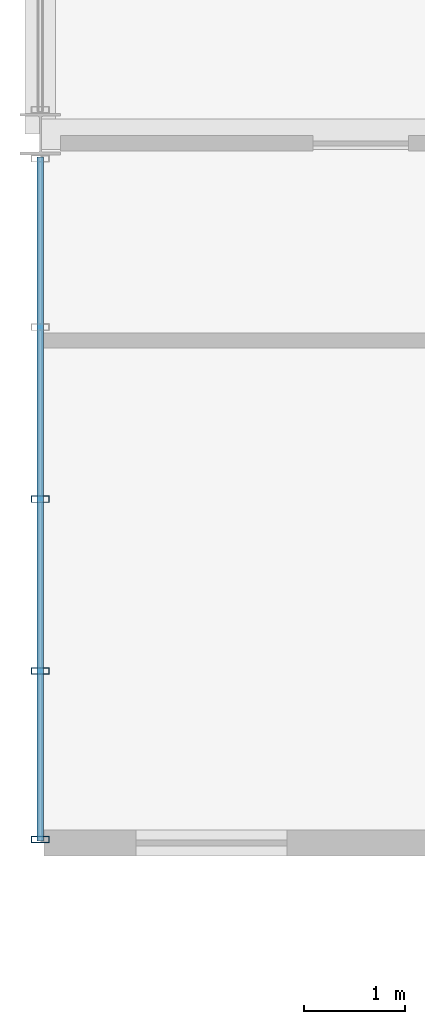
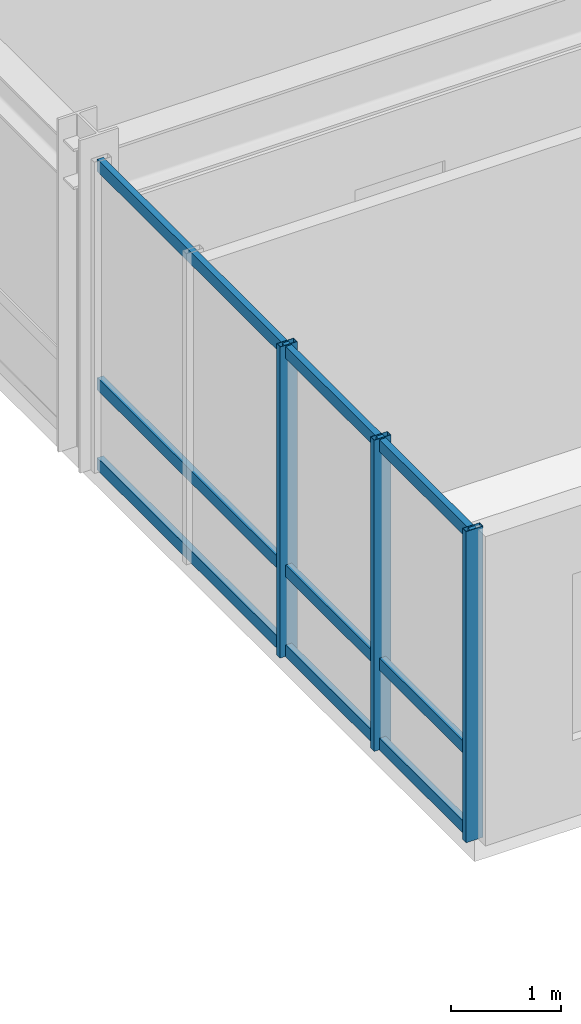
# One storey, part 3 of 18: 6 members, 1 element without a shape of its own.
"""IFC4 building model written with IfcOpenShell, lengths in metres."""

from ifc_helpers import new_model, si_unit, direction, frame, origin, origin_2d, place, context, subcontext, project, spatial, hollow_rectangle, extrude, source, transform, mapped, material, layer, layer_set, material_profile, profile_set, type_object, element, aggregate, save


model = new_model("IFC4")

# Units and contexts
model_context = context("Model", 3, precision=1e-05, world=origin(), true_north=direction((0.0, 1.0)))
body_context = subcontext(model_context, "Body", "Model", "MODEL_VIEW")
ifc_project = project(units=[si_unit("LENGTHUNIT", "METRE"), si_unit("AREAUNIT", "SQUARE_METRE"), si_unit("VOLUMEUNIT", "CUBIC_METRE"), si_unit("PLANEANGLEUNIT", "RADIAN"), si_unit("MASSUNIT", "GRAM", prefix="KILO")], contexts=[model_context])

# Site, building, storey
site_placement = place(None, origin())
site = spatial("IfcSite", under=ifc_project, at=site_placement, CompositionType="ELEMENT")
building_placement = place(site_placement, origin())
building = spatial("IfcBuilding", under=site, at=building_placement, Name="Kaliganga Portal Commons", CompositionType="ELEMENT")
storey_placement = place(building_placement, frame((0.0, 0.0, 169.800048828125)))
storey = spatial("IfcBuildingStorey", under=building, at=storey_placement, Name="L43", CompositionType="ELEMENT", Elevation=169.800048828125)

# Curtain wall, members
ifc_material_1 = material(Name="Anodized Aluminium and Laminated Low-E Glass", Category="aluminium")
ifc_layer = layer(ifc_material_1, 0.199951171875)
ifc_layer_set = layer_set([ifc_layer], Name="Anodized Aluminium and Laminated Low-E Glass")
curtain_wall_type = type_object("IfcCurtainWallType", Name="CW-SYS-02", PredefinedType="NOTDEFINED", material=ifc_layer_set)
curtain_wall_placement = place(storey_placement, origin())
curtain_wall = element("IfcCurtainWall", 1, at=curtain_wall_placement, inside=storey, type_object=curtain_wall_type, Name="CW 02 L43 P1E09S3", PredefinedType="NOTDEFINED")
ifc_material_2 = material(Name="Dark Bronze Anodized Aluminium", Category="aluminium")
ifc_material_profile_1 = material_profile(ifc_material_2, hollow_rectangle(XDim=0.06494140625, YDim=0.179931640625, WallThickness=0.00390625, at=origin_2d()), Name="ALU MULL 65x180x4")
ifc_profile_set_1 = profile_set([ifc_material_profile_1], Name="Dark Bronze Anodized Aluminium")
member_type_1 = type_object("IfcMemberType", Name="CW-MUL-180", PredefinedType="MULLION", material=ifc_profile_set_1)
shared_shape_1 = source(origin(), body_context, "Body", "SweptSolid", [
    extrude(hollow_rectangle(XDim=0.06494140625, YDim=0.179931640625, WallThickness=0.00390625, at=origin_2d()), origin(), (0.0, 0.0, 1.0), 3.4599609375),
])
member_1_placement = place(storey_placement, frame((0.5, 25.02099609375, 0.0), z_axis=(0.0, 0.0, 1.0), x_axis=(0.0, -1.0, 0.0)))
member_1 = element("IfcMember", 2, at=member_1_placement, type_object=member_type_1, Name="CW:02:L43:P1E09S3 Mullion 02", PredefinedType="MULLION", context=body_context, shape_type="MappedRepresentation", body=[
    mapped(shared_shape_1, transform((0.0, 0.0, 0.0), x_axis=(1.0, 0.0, 0.0), y_axis=(0.0, 1.0, 0.0), z_axis=(0.0, 0.0, 1.0), scale=1.0)),
])
member_2_placement = place(storey_placement, frame((0.5, 23.310546875, 0.0), z_axis=(0.0, 0.0, 1.0), x_axis=(0.0, -1.0, 0.0)))
member_2 = element("IfcMember", 3, at=member_2_placement, type_object=member_type_1, Name="CW:02:L43:P1E09S3 Mullion 03", PredefinedType="MULLION", context=body_context, shape_type="MappedRepresentation", body=[
    mapped(shared_shape_1, transform((0.0, 0.0, 0.0), x_axis=(1.0, 0.0, 0.0), y_axis=(0.0, 1.0, 0.0), z_axis=(0.0, 0.0, 1.0), scale=1.0)),
])
member_3_placement = place(storey_placement, frame((0.5, 21.635009765625, 0.0), z_axis=(0.0, 0.0, 1.0), x_axis=(0.0, -1.0, 0.0)))
member_3 = element("IfcMember", 4, at=member_3_placement, type_object=member_type_1, Name="CW:02:L43:P1E09S3 Mullion 04", PredefinedType="MULLION", context=body_context, shape_type="MappedRepresentation", body=[
    mapped(shared_shape_1, transform((0.0, 0.0, 0.0), x_axis=(1.0, 0.0, 0.0), y_axis=(0.0, 1.0, 0.0), z_axis=(0.0, 0.0, 1.0), scale=1.0)),
])
ifc_material_profile_2 = material_profile(ifc_material_2, hollow_rectangle(XDim=0.06494140625, YDim=0.135009765625, WallThickness=0.00341796875, at=origin_2d()), Name="ALU TRAN 65x135x3.5")
ifc_profile_set_2 = profile_set([ifc_material_profile_2], Name="Dark Bronze Anodized Aluminium")
member_type_2 = type_object("IfcMemberType", Name="CW-TRN-135", PredefinedType="USERDEFINED", material=ifc_profile_set_2)
shared_shape_2 = source(origin(), body_context, "Body", "SweptSolid", [
    extrude(hollow_rectangle(XDim=0.06494140625, YDim=0.135009765625, WallThickness=0.00341796875, at=origin_2d()), origin(), (0.0, 0.0, 1.0), 6.802001953125),
])
member_4_placement = place(storey_placement, frame((0.5, 28.422119140625, 0.06005859375), z_axis=(0.0, -1.0, 0.0), x_axis=(1.0, 0.0, 0.0)))
member_4 = element("IfcMember", 5, at=member_4_placement, type_object=member_type_2, Name="CW:02:L43:P1E09S3 Transom 1", ObjectType="TRANSOM", PredefinedType="USERDEFINED", context=body_context, shape_type="MappedRepresentation", body=[
    mapped(shared_shape_2, transform((0.0, 0.0, 0.0), x_axis=(1.0, 0.0, 0.0), y_axis=(0.0, 1.0, 0.0), z_axis=(0.0, 0.0, 1.0), scale=1.0)),
])
member_5_placement = place(storey_placement, frame((0.5, 28.422119140625, 0.949951171875), z_axis=(0.0, -1.0, 0.0), x_axis=(1.0, 0.0, 0.0)))
member_5 = element("IfcMember", 6, at=member_5_placement, type_object=member_type_2, Name="CW:02:L43:P1E09S3 Transom 2", ObjectType="TRANSOM", PredefinedType="USERDEFINED", context=body_context, shape_type="MappedRepresentation", body=[
    mapped(shared_shape_2, transform((0.0, 0.0, 0.0), x_axis=(1.0, 0.0, 0.0), y_axis=(0.0, 1.0, 0.0), z_axis=(0.0, 0.0, 1.0), scale=1.0)),
])
member_6_placement = place(storey_placement, frame((0.5, 28.422119140625, 3.3798828125), z_axis=(0.0, -1.0, 0.0), x_axis=(1.0, 0.0, 0.0)))
member_6 = element("IfcMember", 7, at=member_6_placement, type_object=member_type_2, Name="CW:02:L43:P1E09S3 Transom 3", ObjectType="TRANSOM", PredefinedType="USERDEFINED", context=body_context, shape_type="MappedRepresentation", body=[
    mapped(shared_shape_2, transform((0.0, 0.0, 0.0), x_axis=(1.0, 0.0, 0.0), y_axis=(0.0, 1.0, 0.0), z_axis=(0.0, 0.0, 1.0), scale=1.0)),
])
aggregate(curtain_wall, [member_1, member_2, member_3, member_4, member_5, member_6])

save(model, "model.ifc")
